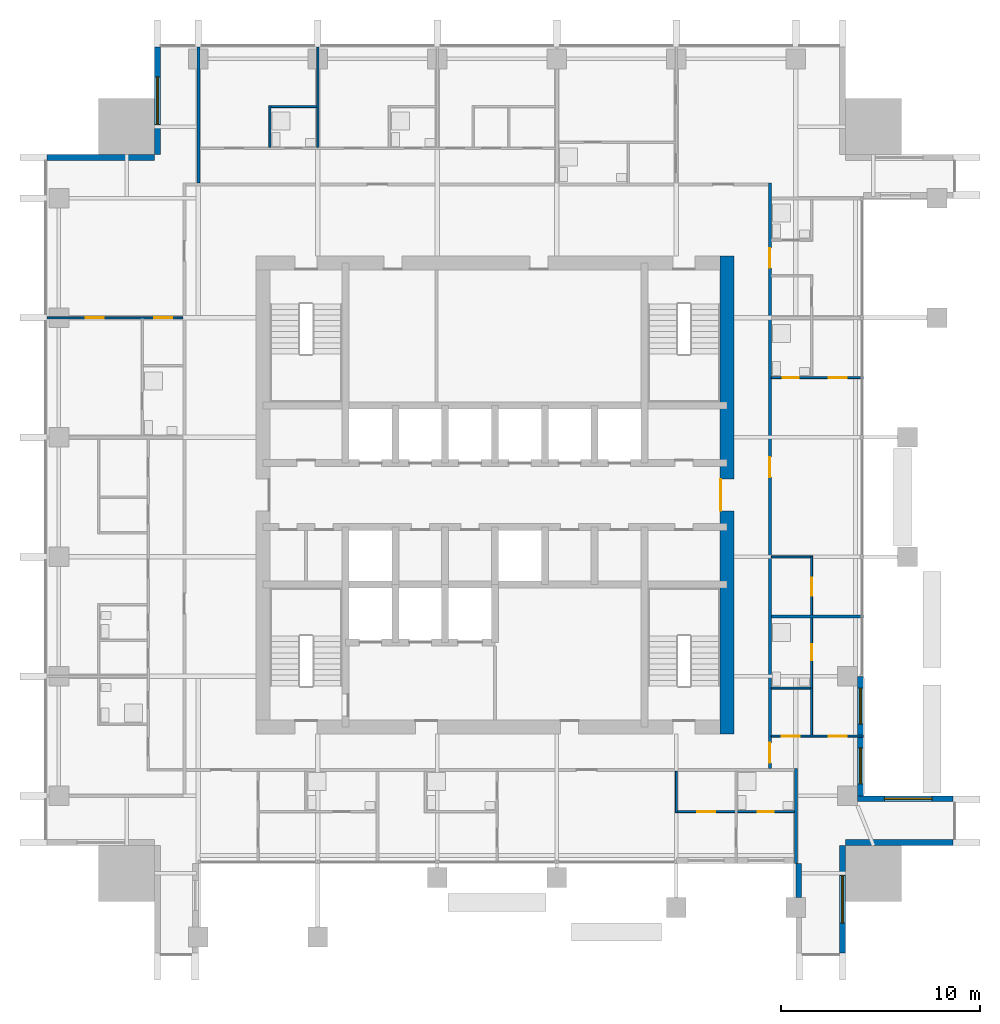
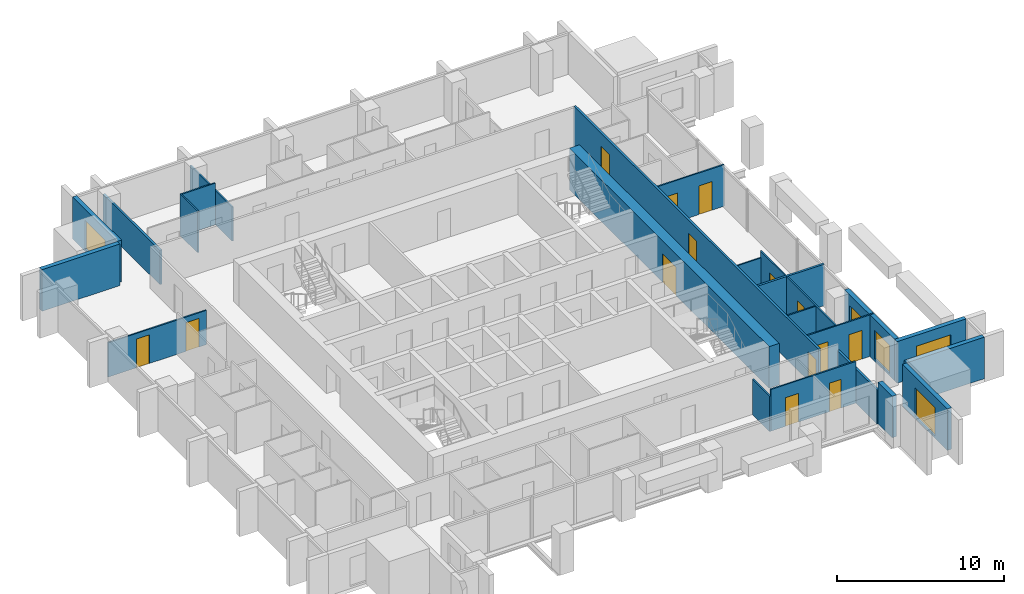
# One storey, part 10 of 14: 23 walls, 14 doors, 5 windows, 19 openings.
"""IFC4 building model written with IfcOpenShell, lengths in metres."""

from ifc_helpers import new_model, si_unit, direction, frame, frame_2d, origin, place, context, subcontext, project, spatial, rectangle, extrude, material, layer, layer_set, type_object, element, fill, save


model = new_model("IFC4")

# Units and contexts
model_context = context("Model", 3, precision=1e-05, world=origin(), true_north=direction((0.0, 1.0)))
body_context = subcontext(model_context, "Body", "Model", "MODEL_VIEW")
ifc_project = project(units=[si_unit("LENGTHUNIT", "METRE"), si_unit("AREAUNIT", "SQUARE_METRE"), si_unit("VOLUMEUNIT", "CUBIC_METRE"), si_unit("PLANEANGLEUNIT", "RADIAN"), si_unit("MASSUNIT", "GRAM", prefix="KILO")], contexts=[model_context])

# Site, building, storey
site_placement = place(None, origin())
site = spatial("IfcSite", under=ifc_project, at=site_placement, CompositionType="ELEMENT")
building_placement = place(site_placement, origin())
building = spatial("IfcBuilding", under=site, at=building_placement, Name="Amberfall Residences", CompositionType="ELEMENT")
storey_placement = place(building_placement, frame((0.0, 0.0, 168.10009765625)))
storey = spatial("IfcBuildingStorey", under=building, at=storey_placement, Name="L45", CompositionType="ELEMENT", Elevation=168.10009765625)

# Wall
ifc_material_1 = material(Name="Pale stone cladding on insulated backing", Category="masonry")
ifc_layer_1 = layer(ifc_material_1, 0.300048828125)
ifc_layer_set_1 = layer_set([ifc_layer_1], Name="Bronze clad wall 300")
wall_type_1 = type_object("IfcWallType", Name="Bronze clad wall 300", PredefinedType="SOLIDWALL", material=ifc_layer_set_1)
wall_1_placement = place(storey_placement, frame((89.75, 27.0, 0.0), z_axis=(0.0, 0.0, 1.0), x_axis=(0.0, -1.0, 0.0)))
element("IfcWall", 1, at=wall_1_placement, inside=storey, type_object=wall_type_1, Name="External wall L45 S", PredefinedType="SOLIDWALL", context=body_context, shape_type="SweptSolid", body=[
    extrude(rectangle(XDim=1.699951171875, YDim=0.300048828125, at=frame_2d((0.85009765625, 0.0))), origin(), (0.0, 0.0, 1.0), 3.0498046875),
])

# Wall, opening, window
wall_2_placement = place(storey_placement, frame((91.949951171875, 22.5, 0.0), z_axis=(0.0, 0.0, 1.0), x_axis=(0.0, 1.0, 0.0)))
wall_2 = element("IfcWall", 2, at=wall_2_placement, inside=storey, type_object=wall_type_1, Name="External wall L45 SE", PredefinedType="SOLIDWALL", context=body_context, shape_type="SweptSolid", body=[
    extrude(rectangle(XDim=5.39990234375, YDim=0.300048828125, at=frame_2d((2.699951171875, 0.0))), origin(), (0.0, 0.0, 1.0), 3.0498046875),
])
opening_1_placement = place(wall_2_placement, frame((1.5, 0.0, 0.14990234375)))
opening_1 = element("IfcOpeningElement", 3, at=opening_1_placement, cuts=wall_2, Name="Opening WN5", PredefinedType="OPENING", context=body_context, shape_type="SweptSolid", body=[
    extrude(rectangle(XDim=2.39990234375, YDim=2.10009765625, at=frame_2d((1.199951171875, 1.050048828125))), frame((0.0, 0.159912109375, 0.0), z_axis=(0.0, -1.0, 0.0), x_axis=(1.0, 0.0, 0.0)), (0.0, 0.0, 1.0), 0.320068359375),
])
ifc_material_2 = material(Name="Bronze aluminium framed glazing", Category="aluminium")
window_type_1 = type_object("IfcWindowType", Name="Glazed opening 2400 x 2100 bronze", PartitioningType="DOUBLE_PANEL_VERTICAL", PredefinedType="WINDOW", material=ifc_material_2)
window_1_placement = place(opening_1_placement, origin())
window_1 = element("IfcWindow", 4, at=window_1_placement, inside=storey, type_object=window_type_1, Name="Window L45 SE", OverallHeight=2.10009765625, OverallWidth=2.39990234375, PartitioningType="DOUBLE_PANEL_VERTICAL", PredefinedType="WINDOW", context=body_context, shape_type="SweptSolid", body=[
    extrude(rectangle(XDim=2.39990234375, YDim=2.10009765625, at=frame_2d((1.199951171875, 1.050048828125))), frame((0.0, 0.030029296875, 0.0), z_axis=(0.0, -1.0, 0.0), x_axis=(1.0, 0.0, 0.0)), (0.0, 0.0, 1.0), 0.06005859375),
])
fill(opening_1, window_1)

# Wall
wall_3_placement = place(storey_placement, frame((92.10009765625, 28.050048828125, 0.0), z_axis=(0.0, 0.0, 1.0), x_axis=(1.0, 0.0, 0.0)))
element("IfcWall", 5, at=wall_3_placement, inside=storey, type_object=wall_type_1, Name="External wall L45 SE", PredefinedType="SOLIDWALL", context=body_context, shape_type="SweptSolid", body=[
    extrude(rectangle(XDim=5.39990234375, YDim=0.300048828125, at=frame_2d((2.699951171875, 0.0))), origin(), (0.0, 0.0, 1.0), 3.0498046875),
])

# Wall, opening, window
wall_4_placement = place(storey_placement, frame((97.5, 30.25, 0.0), z_axis=(0.0, 0.0, 1.0), x_axis=(-1.0, 0.0, 0.0)))
wall_4 = element("IfcWall", 6, at=wall_4_placement, inside=storey, type_object=wall_type_1, Name="External wall L45 E", PredefinedType="SOLIDWALL", context=body_context, shape_type="SweptSolid", body=[
    extrude(rectangle(XDim=4.800048828125, YDim=0.300048828125, at=frame_2d((2.39990234375, 0.0))), origin(), (0.0, 0.0, 1.0), 3.0498046875),
])
opening_2_placement = place(wall_4_placement, frame((1.050048828125, 0.0, 0.14990234375)))
opening_2 = element("IfcOpeningElement", 7, at=opening_2_placement, cuts=wall_4, Name="Opening WN5", PredefinedType="OPENING", context=body_context, shape_type="SweptSolid", body=[
    extrude(rectangle(XDim=2.39990234375, YDim=2.10009765625, at=frame_2d((1.199951171875, 1.050048828125))), frame((0.0, 0.159912109375, 0.0), z_axis=(0.0, -1.0, 0.0), x_axis=(1.0, 0.0, 0.0)), (0.0, 0.0, 1.0), 0.320068359375),
])
window_2_placement = place(opening_2_placement, origin())
window_2 = element("IfcWindow", 8, at=window_2_placement, inside=storey, type_object=window_type_1, Name="Window L45 E", OverallHeight=2.10009765625, OverallWidth=2.39990234375, PartitioningType="DOUBLE_PANEL_VERTICAL", PredefinedType="WINDOW", context=body_context, shape_type="SweptSolid", body=[
    extrude(rectangle(XDim=2.39990234375, YDim=2.10009765625, at=frame_2d((1.199951171875, 1.050048828125))), frame((0.0, 0.030029296875, 0.0), z_axis=(0.0, -1.0, 0.0), x_axis=(1.0, 0.0, 0.0)), (0.0, 0.0, 1.0), 0.06005859375),
])
fill(opening_2, window_2)

wall_5_placement = place(storey_placement, frame((57.550048828125, 68.0, 0.0), z_axis=(0.0, 0.0, 1.0), x_axis=(0.0, -1.0, 0.0)))
wall_5 = element("IfcWall", 9, at=wall_5_placement, inside=storey, type_object=wall_type_1, Name="External wall L45 NW", PredefinedType="SOLIDWALL", context=body_context, shape_type="SweptSolid", body=[
    extrude(rectangle(XDim=5.39990234375, YDim=0.300048828125, at=frame_2d((2.699951171875, 0.0))), origin(), (0.0, 0.0, 1.0), 3.0498046875),
])
opening_3_placement = place(wall_5_placement, frame((1.5, 0.0, 0.14990234375)))
opening_3 = element("IfcOpeningElement", 10, at=opening_3_placement, cuts=wall_5, Name="Opening WN5", PredefinedType="OPENING", context=body_context, shape_type="SweptSolid", body=[
    extrude(rectangle(XDim=2.39990234375, YDim=2.10009765625, at=frame_2d((1.199951171875, 1.050048828125))), frame((0.0, 0.159912109375, 0.0), z_axis=(0.0, -1.0, 0.0), x_axis=(1.0, 0.0, 0.0)), (0.0, 0.0, 1.0), 0.320068359375),
])
window_3_placement = place(opening_3_placement, origin())
window_3 = element("IfcWindow", 11, at=window_3_placement, inside=storey, type_object=window_type_1, Name="Window L45 NW", OverallHeight=2.10009765625, OverallWidth=2.39990234375, PartitioningType="DOUBLE_PANEL_VERTICAL", PredefinedType="WINDOW", context=body_context, shape_type="SweptSolid", body=[
    extrude(rectangle(XDim=2.39990234375, YDim=2.10009765625, at=frame_2d((1.199951171875, 1.050048828125))), frame((0.0, 0.030029296875, 0.0), z_axis=(0.0, -1.0, 0.0), x_axis=(1.0, 0.0, 0.0)), (0.0, 0.0, 1.0), 0.06005859375),
])
fill(opening_3, window_3)

# Wall
wall_6_placement = place(storey_placement, frame((57.39990234375, 62.449951171875, 0.0), z_axis=(0.0, 0.0, 1.0), x_axis=(-1.0, 0.0, 0.0)))
element("IfcWall", 12, at=wall_6_placement, inside=storey, type_object=wall_type_1, Name="External wall L45 NW", PredefinedType="SOLIDWALL", context=body_context, shape_type="SweptSolid", body=[
    extrude(rectangle(XDim=5.39990234375, YDim=0.300048828125, at=frame_2d((2.699951171875, 0.0))), origin(), (0.0, 0.0, 1.0), 3.0498046875),
])

# Wall, openings, windows
wall_7_placement = place(storey_placement, frame((92.85009765625, 30.39990234375, 0.0), z_axis=(0.0, 0.0, 1.0), x_axis=(0.0, 1.0, 0.0)))
wall_7 = element("IfcWall", 13, at=wall_7_placement, inside=storey, type_object=wall_type_1, Name="Stone wall L45 E", PredefinedType="SOLIDWALL", context=body_context, shape_type="SweptSolid", body=[
    extrude(rectangle(XDim=6.0, YDim=0.300048828125, at=frame_2d((3.0, 0.0))), origin(), (0.0, 0.0, 1.0), 3.0498046875),
])
opening_4_placement = place(wall_7_placement, frame((0.60009765625, 0.0, 0.14990234375)))
opening_4 = element("IfcOpeningElement", 14, at=opening_4_placement, cuts=wall_7, Name="Opening WN6", PredefinedType="OPENING", context=body_context, shape_type="SweptSolid", body=[
    extrude(rectangle(XDim=1.800048828125, YDim=2.10009765625, at=frame_2d((0.89990234375, 1.050048828125))), frame((0.0, 0.159912109375, 0.0), z_axis=(0.0, -1.0, 0.0), x_axis=(1.0, 0.0, 0.0)), (0.0, 0.0, 1.0), 0.320068359375),
])
opening_5_placement = place(wall_7_placement, frame((3.60009765625, 0.0, 0.14990234375)))
opening_5 = element("IfcOpeningElement", 15, at=opening_5_placement, cuts=wall_7, Name="Opening WN6", PredefinedType="OPENING", context=body_context, shape_type="SweptSolid", body=[
    extrude(rectangle(XDim=1.800048828125, YDim=2.10009765625, at=frame_2d((0.89990234375, 1.050048828125))), frame((0.0, 0.159912109375, 0.0), z_axis=(0.0, -1.0, 0.0), x_axis=(1.0, 0.0, 0.0)), (0.0, 0.0, 1.0), 0.320068359375),
])
window_type_2 = type_object("IfcWindowType", Name="Glazed opening 1800 x 2100 bronze", PartitioningType="DOUBLE_PANEL_VERTICAL", PredefinedType="WINDOW", material=ifc_material_2)
window_4_placement = place(opening_4_placement, origin())
window_4 = element("IfcWindow", 16, at=window_4_placement, inside=storey, type_object=window_type_2, Name="Window L45 E", OverallHeight=2.10009765625, OverallWidth=1.800048828125, PartitioningType="DOUBLE_PANEL_VERTICAL", PredefinedType="WINDOW", context=body_context, shape_type="SweptSolid", body=[
    extrude(rectangle(XDim=1.800048828125, YDim=2.10009765625, at=frame_2d((0.89990234375, 1.050048828125))), frame((0.0, 0.030029296875, 0.0), z_axis=(0.0, -1.0, 0.0), x_axis=(1.0, 0.0, 0.0)), (0.0, 0.0, 1.0), 0.06005859375),
])
fill(opening_4, window_4)
window_5_placement = place(opening_5_placement, origin())
window_5 = element("IfcWindow", 17, at=window_5_placement, inside=storey, type_object=window_type_2, Name="Window L45 E", OverallHeight=2.10009765625, OverallWidth=1.800048828125, PartitioningType="DOUBLE_PANEL_VERTICAL", PredefinedType="WINDOW", context=body_context, shape_type="SweptSolid", body=[
    extrude(rectangle(XDim=1.800048828125, YDim=2.10009765625, at=frame_2d((0.89990234375, 1.050048828125))), frame((0.0, 0.030029296875, 0.0), z_axis=(0.0, -1.0, 0.0), x_axis=(1.0, 0.0, 0.0)), (0.0, 0.0, 1.0), 0.06005859375),
])
fill(opening_5, window_5)

# Wall, opening, door
ifc_material_3 = material(Name="Concrete C60", Category="concrete")
ifc_layer_2 = layer(ifc_material_3, 0.699951171875)
ifc_layer_set_2 = layer_set([ifc_layer_2], Name="Core wall 700 C60")
wall_type_2 = type_object("IfcWallType", Name="Core wall 700 C60", PredefinedType="SHEAR", material=ifc_layer_set_2)
wall_8_placement = place(storey_placement, frame((86.14990234375, 33.5, 0.0), z_axis=(0.0, 0.0, 1.0), x_axis=(0.0, 1.0, 0.0)))
wall_8 = element("IfcWall", 18, at=wall_8_placement, inside=storey, type_object=wall_type_2, Name="Core wall RW5 L45 OE", PredefinedType="SHEAR", context=body_context, shape_type="SweptSolid", body=[
    extrude(rectangle(XDim=24.0, YDim=0.699951171875, at=frame_2d((12.0, 0.0))), origin(), (0.0, 0.0, 1.0), 3.0498046875),
])
opening_6_placement = place(wall_8_placement, frame((11.199951171875, 0.0, 0.0)))
opening_6 = element("IfcOpeningElement", 19, at=opening_6_placement, cuts=wall_8, Name="Opening LB1", PredefinedType="OPENING", context=body_context, shape_type="SweptSolid", body=[
    extrude(rectangle(XDim=1.60009765625, YDim=2.10009765625, at=frame_2d((0.800048828125, 1.050048828125))), frame((0.0, 0.35986328125, 0.0), z_axis=(0.0, -1.0, 0.0), x_axis=(1.0, 0.0, 0.0)), (0.0, 0.0, 1.0), 0.719970703125),
])
ifc_material_4 = material(Name="Steel fire door set", Category="steel")
door_type_1 = type_object("IfcDoorType", Name="Lift lobby double door 1600 x 2100", OperationType="DOUBLE_DOOR_SINGLE_SWING", PredefinedType="DOOR", material=ifc_material_4)
door_1_placement = place(opening_6_placement, origin())
door_1 = element("IfcDoor", 20, at=door_1_placement, inside=storey, type_object=door_type_1, Name="LB1 L45", OperationType="DOUBLE_DOOR_SINGLE_SWING", OverallHeight=2.10009765625, OverallWidth=1.60009765625, PredefinedType="DOOR", context=body_context, shape_type="SweptSolid", body=[
    extrude(rectangle(XDim=1.60009765625, YDim=2.10009765625, at=frame_2d((0.800048828125, 1.050048828125))), frame((0.0, 0.33740234375, 0.0), z_axis=(0.0, -1.0, 0.0), x_axis=(1.0, 0.0, 0.0)), (0.0, 0.0, 1.0), 0.050048828125),
])
fill(opening_6, door_1)

# Walls
ifc_material_5 = material(Name="Gypsum board on metal stud")
ifc_layer_3 = layer(ifc_material_5, 0.10009765625)
ifc_layer_set_3 = layer_set([ifc_layer_3], Name="Flat partition 100")
wall_type_3 = type_object("IfcWallType", Name="Flat partition 100", PredefinedType="PARTITIONING", material=ifc_layer_set_3)
wall_9_placement = place(storey_placement, frame((63.199951171875, 62.949951171875, 0.0), z_axis=(0.0, 0.0, 1.0), x_axis=(0.0, 1.0, 0.0)))
element("IfcWall", 21, at=wall_9_placement, inside=storey, type_object=wall_type_3, Name="Partition 006", PredefinedType="PARTITIONING", context=body_context, shape_type="SweptSolid", body=[
    extrude(rectangle(XDim=2.10009765625, YDim=0.10009765625, at=frame_2d((1.050048828125, 0.0))), origin(), (0.0, 0.0, 1.0), 3.0498046875),
])
wall_10_placement = place(storey_placement, frame((65.60009765625, 62.949951171875, 0.0), z_axis=(0.0, 0.0, 1.0), x_axis=(0.0, 1.0, 0.0)))
element("IfcWall", 22, at=wall_10_placement, inside=storey, type_object=wall_type_3, Name="Partition 008", PredefinedType="PARTITIONING", context=body_context, shape_type="SweptSolid", body=[
    extrude(rectangle(XDim=5.050048828125, YDim=0.10009765625, at=frame_2d((2.52490234375, 0.0))), origin(), (0.0, 0.0, 1.0), 2.515869140625),
])
wall_11_placement = place(storey_placement, frame((83.60009765625, 29.550048828125, 0.0), z_axis=(0.0, 0.0, 1.0), x_axis=(0.0, 1.0, 0.0)))
element("IfcWall", 23, at=wall_11_placement, inside=storey, type_object=wall_type_3, Name="Partition 016", PredefinedType="PARTITIONING", context=body_context, shape_type="SweptSolid", body=[
    extrude(rectangle(XDim=2.074951171875, YDim=0.10009765625, at=frame_2d((1.03759765625, 0.0))), origin(), (0.0, 0.0, 1.0), 2.58984375),
])

# Wall, openings, doors
wall_12_placement = place(storey_placement, frame((90.39990234375, 33.449951171875, 0.0), z_axis=(0.0, 0.0, 1.0), x_axis=(0.0, 1.0, 0.0)))
wall_12 = element("IfcWall", 24, at=wall_12_placement, inside=storey, type_object=wall_type_3, Name="Partition 019", PredefinedType="PARTITIONING", context=body_context, shape_type="SweptSolid", body=[
    extrude(rectangle(XDim=9.0, YDim=0.10009765625, at=frame_2d((4.5, 0.0))), origin(), (0.0, 0.0, 1.0), 3.0498046875),
])
opening_7_placement = place(wall_12_placement, frame((3.75, 0.0, 0.0)))
opening_7 = element("IfcOpeningElement", 25, at=opening_7_placement, cuts=wall_12, Name="Opening D42", PredefinedType="OPENING", context=body_context, shape_type="SweptSolid", body=[
    extrude(rectangle(XDim=0.800048828125, YDim=2.10009765625, at=frame_2d((0.39990234375, 1.050048828125))), frame((0.0, 0.06005859375, 0.0), z_axis=(0.0, -1.0, 0.0), x_axis=(1.0, 0.0, 0.0)), (0.0, 0.0, 1.0), 0.1201171875),
])
opening_8_placement = place(wall_12_placement, frame((7.0, 0.0, 0.0)))
opening_8 = element("IfcOpeningElement", 26, at=opening_8_placement, cuts=wall_12, Name="Opening D41", PredefinedType="OPENING", context=body_context, shape_type="SweptSolid", body=[
    extrude(rectangle(XDim=0.89990234375, YDim=2.10009765625, at=frame_2d((0.449951171875, 1.050048828125))), frame((0.0, 0.06005859375, 0.0), z_axis=(0.0, -1.0, 0.0), x_axis=(1.0, 0.0, 0.0)), (0.0, 0.0, 1.0), 0.1201171875),
])
ifc_material_6 = material(Name="Timber", Category="wood")
door_type_2 = type_object("IfcDoorType", Name="Bathroom door 800 x 2100", OperationType="SINGLE_SWING_LEFT", PredefinedType="DOOR", material=ifc_material_6)
door_2_placement = place(opening_7_placement, origin())
door_2 = element("IfcDoor", 27, at=door_2_placement, inside=storey, type_object=door_type_2, Name="Door 4503 bath1", OperationType="SINGLE_SWING_LEFT", OverallHeight=2.10009765625, OverallWidth=0.800048828125, PredefinedType="DOOR", context=body_context, shape_type="SweptSolid", body=[
    extrude(rectangle(XDim=0.800048828125, YDim=2.10009765625, at=frame_2d((0.39990234375, 1.050048828125))), frame((0.0, 0.02490234375, 0.0), z_axis=(0.0, -1.0, 0.0), x_axis=(1.0, 0.0, 0.0)), (0.0, 0.0, 1.0), 0.050048828125),
])
fill(opening_7, door_2)
door_type_3 = type_object("IfcDoorType", Name="Internal door 900 x 2100", OperationType="SINGLE_SWING_LEFT", PredefinedType="DOOR", material=ifc_material_6)
door_3_placement = place(opening_8_placement, origin())
door_3 = element("IfcDoor", 28, at=door_3_placement, inside=storey, type_object=door_type_3, Name="Door 4504 kitchen", OperationType="SINGLE_SWING_LEFT", OverallHeight=2.10009765625, OverallWidth=0.89990234375, PredefinedType="DOOR", context=body_context, shape_type="SweptSolid", body=[
    extrude(rectangle(XDim=0.89990234375, YDim=2.10009765625, at=frame_2d((0.449951171875, 1.050048828125))), frame((0.0, 0.02490234375, 0.0), z_axis=(0.0, -1.0, 0.0), x_axis=(1.0, 0.0, 0.0)), (0.0, 0.0, 1.0), 0.050048828125),
])
fill(opening_8, door_3)

# Wall
wall_13_placement = place(storey_placement, frame((63.25, 65.0, 0.0), z_axis=(0.0, 0.0, 1.0), x_axis=(1.0, 0.0, 0.0)))
element("IfcWall", 29, at=wall_13_placement, inside=storey, type_object=wall_type_3, Name="Partition 022", PredefinedType="PARTITIONING", context=body_context, shape_type="SweptSolid", body=[
    extrude(rectangle(XDim=2.300048828125, YDim=0.10009765625, at=frame_2d((1.14990234375, 0.0))), origin(), (0.0, 0.0, 1.0), 3.0498046875),
])

# Wall, openings, doors
wall_14_placement = place(storey_placement, frame((58.824951171875, 54.39990234375, 0.0), z_axis=(0.0, 0.0, 1.0), x_axis=(-1.0, 0.0, 0.0)))
wall_14 = element("IfcWall", 30, at=wall_14_placement, inside=storey, type_object=wall_type_3, Name="Partition 029", PredefinedType="PARTITIONING", context=body_context, shape_type="SweptSolid", body=[
    extrude(rectangle(XDim=6.824951171875, YDim=0.10009765625, at=frame_2d((3.41259765625, 0.0))), origin(), (0.0, 0.0, 1.0), 2.515869140625),
])
opening_9_placement = place(wall_14_placement, frame((0.52490234375, 0.0, 0.0)))
opening_9 = element("IfcOpeningElement", 31, at=opening_9_placement, cuts=wall_14, Name="Opening D41", PredefinedType="OPENING", context=body_context, shape_type="SweptSolid", body=[
    extrude(rectangle(XDim=0.89990234375, YDim=2.10009765625, at=frame_2d((0.449951171875, 1.050048828125))), frame((0.0, 0.06005859375, 0.0), z_axis=(0.0, -1.0, 0.0), x_axis=(1.0, 0.0, 0.0)), (0.0, 0.0, 1.0), 0.1201171875),
])
opening_10_placement = place(wall_14_placement, frame((3.97509765625, 0.0, 0.0)))
opening_10 = element("IfcOpeningElement", 32, at=opening_10_placement, cuts=wall_14, Name="Opening D41", PredefinedType="OPENING", context=body_context, shape_type="SweptSolid", body=[
    extrude(rectangle(XDim=0.89990234375, YDim=2.10009765625, at=frame_2d((0.449951171875, 1.050048828125))), frame((0.0, 0.06005859375, 0.0), z_axis=(0.0, -1.0, 0.0), x_axis=(1.0, 0.0, 0.0)), (0.0, 0.0, 1.0), 0.1201171875),
])
door_4_placement = place(opening_9_placement, origin())
door_4 = element("IfcDoor", 33, at=door_4_placement, inside=storey, type_object=door_type_3, Name="Door 4509 kitchen", OperationType="SINGLE_SWING_LEFT", OverallHeight=2.10009765625, OverallWidth=0.89990234375, PredefinedType="DOOR", context=body_context, shape_type="SweptSolid", body=[
    extrude(rectangle(XDim=0.89990234375, YDim=2.10009765625, at=frame_2d((0.449951171875, 1.050048828125))), frame((0.0, 0.02490234375, 0.0), z_axis=(0.0, -1.0, 0.0), x_axis=(1.0, 0.0, 0.0)), (0.0, 0.0, 1.0), 0.050048828125),
])
fill(opening_9, door_4)
door_5_placement = place(opening_10_placement, origin())
door_5 = element("IfcDoor", 34, at=door_5_placement, inside=storey, type_object=door_type_3, Name="Door 4509 bedroom1", OperationType="SINGLE_SWING_LEFT", OverallHeight=2.10009765625, OverallWidth=0.89990234375, PredefinedType="DOOR", context=body_context, shape_type="SweptSolid", body=[
    extrude(rectangle(XDim=0.89990234375, YDim=2.10009765625, at=frame_2d((0.449951171875, 1.050048828125))), frame((0.0, 0.02490234375, 0.0), z_axis=(0.0, -1.0, 0.0), x_axis=(1.0, 0.0, 0.0)), (0.0, 0.0, 1.0), 0.050048828125),
])
fill(opening_10, door_5)

wall_15_placement = place(storey_placement, frame((88.375, 51.39990234375, 0.0), z_axis=(0.0, 0.0, 1.0), x_axis=(1.0, 0.0, 0.0)))
wall_15 = element("IfcWall", 35, at=wall_15_placement, inside=storey, type_object=wall_type_3, Name="Partition 031", PredefinedType="PARTITIONING", context=body_context, shape_type="SweptSolid", body=[
    extrude(rectangle(XDim=4.625, YDim=0.10009765625, at=frame_2d((2.3125, 0.0))), origin(), (0.0, 0.0, 1.0), 3.0498046875),
])
opening_11_placement = place(wall_15_placement, frame((2.875, 0.0, 0.0)))
opening_11 = element("IfcOpeningElement", 36, at=opening_11_placement, cuts=wall_15, Name="Opening D41", PredefinedType="OPENING", context=body_context, shape_type="SweptSolid", body=[
    extrude(rectangle(XDim=0.89990234375, YDim=2.10009765625, at=frame_2d((0.449951171875, 1.050048828125))), frame((0.0, 0.06005859375, 0.0), z_axis=(0.0, -1.0, 0.0), x_axis=(1.0, 0.0, 0.0)), (0.0, 0.0, 1.0), 0.1201171875),
])
opening_12_placement = place(wall_15_placement, frame((0.574951171875, 0.0, 0.0)))
opening_12 = element("IfcOpeningElement", 37, at=opening_12_placement, cuts=wall_15, Name="Opening D42", PredefinedType="OPENING", context=body_context, shape_type="SweptSolid", body=[
    extrude(rectangle(XDim=0.800048828125, YDim=2.10009765625, at=frame_2d((0.39990234375, 1.050048828125))), frame((0.0, 0.06005859375, 0.0), z_axis=(0.0, -1.0, 0.0), x_axis=(1.0, 0.0, 0.0)), (0.0, 0.0, 1.0), 0.1201171875),
])
door_6_placement = place(opening_12_placement, origin())
door_6 = element("IfcDoor", 38, at=door_6_placement, inside=storey, type_object=door_type_2, Name="Door 4504 bath1", OperationType="SINGLE_SWING_LEFT", OverallHeight=2.10009765625, OverallWidth=0.800048828125, PredefinedType="DOOR", context=body_context, shape_type="SweptSolid", body=[
    extrude(rectangle(XDim=0.800048828125, YDim=2.10009765625, at=frame_2d((0.39990234375, 1.050048828125))), frame((0.0, 0.02490234375, 0.0), z_axis=(0.0, -1.0, 0.0), x_axis=(1.0, 0.0, 0.0)), (0.0, 0.0, 1.0), 0.050048828125),
])
fill(opening_12, door_6)
door_7_placement = place(opening_11_placement, origin())
door_7 = element("IfcDoor", 39, at=door_7_placement, inside=storey, type_object=door_type_3, Name="Door 4504 bedroom1", OperationType="SINGLE_SWING_LEFT", OverallHeight=2.10009765625, OverallWidth=0.89990234375, PredefinedType="DOOR", context=body_context, shape_type="SweptSolid", body=[
    extrude(rectangle(XDim=0.89990234375, YDim=2.10009765625, at=frame_2d((0.449951171875, 1.050048828125))), frame((0.0, 0.02490234375, 0.0), z_axis=(0.0, -1.0, 0.0), x_axis=(1.0, 0.0, 0.0)), (0.0, 0.0, 1.0), 0.050048828125),
])
fill(opening_11, door_7)

# Walls
wall_16_placement = place(storey_placement, frame((88.375, 42.39990234375, 0.0), z_axis=(0.0, 0.0, 1.0), x_axis=(1.0, 0.0, 0.0)))
element("IfcWall", 40, at=wall_16_placement, inside=storey, type_object=wall_type_3, Name="Partition 034", PredefinedType="PARTITIONING", context=body_context, shape_type="SweptSolid", body=[
    extrude(rectangle(XDim=1.97509765625, YDim=0.10009765625, at=frame_2d((0.987548828125, 0.0))), origin(), (0.0, 0.0, 1.0), 2.58984375),
])
wall_17_placement = place(storey_placement, frame((88.375, 35.800048828125, 0.0), z_axis=(0.0, 0.0, 1.0), x_axis=(1.0, 0.0, 0.0)))
element("IfcWall", 41, at=wall_17_placement, inside=storey, type_object=wall_type_3, Name="Partition 038", PredefinedType="PARTITIONING", context=body_context, shape_type="SweptSolid", body=[
    extrude(rectangle(XDim=1.97509765625, YDim=0.10009765625, at=frame_2d((0.987548828125, 0.0))), origin(), (0.0, 0.0, 1.0), 3.0498046875),
])

# Wall, openings, doors
wall_18_placement = place(storey_placement, frame((88.375, 33.39990234375, 0.0), z_axis=(0.0, 0.0, 1.0), x_axis=(1.0, 0.0, 0.0)))
wall_18 = element("IfcWall", 42, at=wall_18_placement, inside=storey, type_object=wall_type_3, Name="Partition 040", PredefinedType="PARTITIONING", context=body_context, shape_type="SweptSolid", body=[
    extrude(rectangle(XDim=4.625, YDim=0.10009765625, at=frame_2d((2.3125, 0.0))), origin(), (0.0, 0.0, 1.0), 3.0498046875),
])
opening_13_placement = place(wall_18_placement, frame((0.52490234375, 0.0, 0.0)))
opening_13 = element("IfcOpeningElement", 43, at=opening_13_placement, cuts=wall_18, Name="Opening D41", PredefinedType="OPENING", context=body_context, shape_type="SweptSolid", body=[
    extrude(rectangle(XDim=0.89990234375, YDim=2.10009765625, at=frame_2d((0.449951171875, 1.050048828125))), frame((0.0, 0.06005859375, 0.0), z_axis=(0.0, -1.0, 0.0), x_axis=(1.0, 0.0, 0.0)), (0.0, 0.0, 1.0), 0.1201171875),
])
opening_14_placement = place(wall_18_placement, frame((2.875, 0.0, 0.0)))
opening_14 = element("IfcOpeningElement", 44, at=opening_14_placement, cuts=wall_18, Name="Opening D41", PredefinedType="OPENING", context=body_context, shape_type="SweptSolid", body=[
    extrude(rectangle(XDim=0.89990234375, YDim=2.10009765625, at=frame_2d((0.449951171875, 1.050048828125))), frame((0.0, 0.06005859375, 0.0), z_axis=(0.0, -1.0, 0.0), x_axis=(1.0, 0.0, 0.0)), (0.0, 0.0, 1.0), 0.1201171875),
])
door_8_placement = place(opening_13_placement, origin())
door_8 = element("IfcDoor", 45, at=door_8_placement, inside=storey, type_object=door_type_3, Name="Door 4503 kitchen", OperationType="SINGLE_SWING_LEFT", OverallHeight=2.10009765625, OverallWidth=0.89990234375, PredefinedType="DOOR", context=body_context, shape_type="SweptSolid", body=[
    extrude(rectangle(XDim=0.89990234375, YDim=2.10009765625, at=frame_2d((0.449951171875, 1.050048828125))), frame((0.0, 0.02490234375, 0.0), z_axis=(0.0, -1.0, 0.0), x_axis=(1.0, 0.0, 0.0)), (0.0, 0.0, 1.0), 0.050048828125),
])
fill(opening_13, door_8)
door_9_placement = place(opening_14_placement, origin())
door_9 = element("IfcDoor", 46, at=door_9_placement, inside=storey, type_object=door_type_3, Name="Door 4503 bedroom1", OperationType="SINGLE_SWING_LEFT", OverallHeight=2.10009765625, OverallWidth=0.89990234375, PredefinedType="DOOR", context=body_context, shape_type="SweptSolid", body=[
    extrude(rectangle(XDim=0.89990234375, YDim=2.10009765625, at=frame_2d((0.449951171875, 1.050048828125))), frame((0.0, 0.02490234375, 0.0), z_axis=(0.0, -1.0, 0.0), x_axis=(1.0, 0.0, 0.0)), (0.0, 0.0, 1.0), 0.050048828125),
])
fill(opening_14, door_9)

wall_19_placement = place(storey_placement, frame((83.64990234375, 29.60009765625, 0.0), z_axis=(0.0, 0.0, 1.0), x_axis=(1.0, 0.0, 0.0)))
wall_19 = element("IfcWall", 47, at=wall_19_placement, inside=storey, type_object=wall_type_3, Name="Partition 044", PredefinedType="PARTITIONING", context=body_context, shape_type="SweptSolid", body=[
    extrude(rectangle(XDim=5.875, YDim=0.10009765625, at=frame_2d((2.9375, 0.0))), origin(), (0.0, 0.0, 1.0), 3.0498046875),
])
opening_15_placement = place(wall_19_placement, frame((1.0, 0.0, 0.0)))
opening_15 = element("IfcOpeningElement", 48, at=opening_15_placement, cuts=wall_19, Name="Opening D41", PredefinedType="OPENING", context=body_context, shape_type="SweptSolid", body=[
    extrude(rectangle(XDim=0.89990234375, YDim=2.10009765625, at=frame_2d((0.449951171875, 1.050048828125))), frame((0.0, 0.06005859375, 0.0), z_axis=(0.0, -1.0, 0.0), x_axis=(1.0, 0.0, 0.0)), (0.0, 0.0, 1.0), 0.1201171875),
])
opening_16_placement = place(wall_19_placement, frame((4.050048828125, 0.0, 0.0)))
opening_16 = element("IfcOpeningElement", 49, at=opening_16_placement, cuts=wall_19, Name="Opening D42", PredefinedType="OPENING", context=body_context, shape_type="SweptSolid", body=[
    extrude(rectangle(XDim=0.800048828125, YDim=2.10009765625, at=frame_2d((0.39990234375, 1.050048828125))), frame((0.0, 0.06005859375, 0.0), z_axis=(0.0, -1.0, 0.0), x_axis=(1.0, 0.0, 0.0)), (0.0, 0.0, 1.0), 0.1201171875),
])
door_10_placement = place(opening_16_placement, origin())
door_10 = element("IfcDoor", 50, at=door_10_placement, inside=storey, type_object=door_type_2, Name="Door 4502 bath2", OperationType="SINGLE_SWING_LEFT", OverallHeight=2.10009765625, OverallWidth=0.800048828125, PredefinedType="DOOR", context=body_context, shape_type="SweptSolid", body=[
    extrude(rectangle(XDim=0.800048828125, YDim=2.10009765625, at=frame_2d((0.39990234375, 1.050048828125))), frame((0.0, 0.02490234375, 0.0), z_axis=(0.0, -1.0, 0.0), x_axis=(1.0, 0.0, 0.0)), (0.0, 0.0, 1.0), 0.050048828125),
])
fill(opening_16, door_10)
door_11_placement = place(opening_15_placement, origin())
door_11 = element("IfcDoor", 51, at=door_11_placement, inside=storey, type_object=door_type_3, Name="Door 4502 kitchen", OperationType="SINGLE_SWING_LEFT", OverallHeight=2.10009765625, OverallWidth=0.89990234375, PredefinedType="DOOR", context=body_context, shape_type="SweptSolid", body=[
    extrude(rectangle(XDim=0.89990234375, YDim=2.10009765625, at=frame_2d((0.449951171875, 1.050048828125))), frame((0.0, 0.02490234375, 0.0), z_axis=(0.0, -1.0, 0.0), x_axis=(1.0, 0.0, 0.0)), (0.0, 0.0, 1.0), 0.050048828125),
])
fill(opening_15, door_11)

# Wall
ifc_material_7 = material(Name="Blockwork, plastered", Category="masonry")
ifc_layer_4 = layer(ifc_material_7, 0.14990234375)
ifc_layer_set_4 = layer_set([ifc_layer_4], Name="Flat separating wall 150")
wall_type_4 = type_object("IfcWallType", Name="Flat separating wall 150", PredefinedType="PARTITIONING", material=ifc_layer_set_4)
wall_20_placement = place(storey_placement, frame((59.60009765625, 61.175048828125, 0.0), z_axis=(0.0, 0.0, 1.0), x_axis=(0.0, 1.0, 0.0)))
element("IfcWall", 52, at=wall_20_placement, inside=storey, type_object=wall_type_4, Name="Separating wall 046", PredefinedType="PARTITIONING", context=body_context, shape_type="SweptSolid", body=[
    extrude(rectangle(XDim=6.824951171875, YDim=0.14990234375, at=frame_2d((3.41259765625, 0.0))), origin(), (0.0, 0.0, 1.0), 2.510009765625),
])

# Wall, openings, doors
wall_21_placement = place(storey_placement, frame((88.300048828125, 61.175048828125, 0.0), z_axis=(0.0, 0.0, 1.0), x_axis=(0.0, -1.0, 0.0)))
wall_21 = element("IfcWall", 53, at=wall_21_placement, inside=storey, type_object=wall_type_4, Name="Separating wall 049", PredefinedType="PARTITIONING", context=body_context, shape_type="SweptSolid", body=[
    extrude(rectangle(XDim=29.400146484375, YDim=0.14990234375, at=frame_2d((14.7001953125, 0.0))), origin(), (0.0, 0.0, 1.0), 3.0498046875),
])
opening_17_placement = place(wall_21_placement, frame((28.125, 0.0, 0.0)))
opening_17 = element("IfcOpeningElement", 54, at=opening_17_placement, cuts=wall_21, Name="Opening D40", PredefinedType="OPENING", context=body_context, shape_type="SweptSolid", body=[
    extrude(rectangle(XDim=1.0, YDim=2.10009765625, at=frame_2d((0.5, 1.050048828125))), frame((0.0, 0.0849609375, 0.0), z_axis=(0.0, -1.0, 0.0), x_axis=(1.0, 0.0, 0.0)), (0.0, 0.0, 1.0), 0.169921875),
])
opening_18_placement = place(wall_21_placement, frame((13.77490234375, 0.0, 0.0)))
opening_18 = element("IfcOpeningElement", 55, at=opening_18_placement, cuts=wall_21, Name="Opening D40", PredefinedType="OPENING", context=body_context, shape_type="SweptSolid", body=[
    extrude(rectangle(XDim=1.0, YDim=2.10009765625, at=frame_2d((0.5, 1.050048828125))), frame((0.0, 0.0849609375, 0.0), z_axis=(0.0, -1.0, 0.0), x_axis=(1.0, 0.0, 0.0)), (0.0, 0.0, 1.0), 0.169921875),
])
opening_19_placement = place(wall_21_placement, frame((3.27490234375, 0.0, 0.0)))
opening_19 = element("IfcOpeningElement", 56, at=opening_19_placement, cuts=wall_21, Name="Opening D40", PredefinedType="OPENING", context=body_context, shape_type="SweptSolid", body=[
    extrude(rectangle(XDim=1.0, YDim=2.10009765625, at=frame_2d((0.5, 1.050048828125))), frame((0.0, 0.0849609375, 0.0), z_axis=(0.0, -1.0, 0.0), x_axis=(1.0, 0.0, 0.0)), (0.0, 0.0, 1.0), 0.169921875),
])
ifc_material_8 = material(Name="Timber, fire-rated", Category="wood")
door_type_4 = type_object("IfcDoorType", Name="Flat entrance door FD60 1000 x 2100", OperationType="SINGLE_SWING_LEFT", PredefinedType="DOOR", material=ifc_material_8)
door_12_placement = place(opening_17_placement, origin())
door_12 = element("IfcDoor", 57, at=door_12_placement, inside=storey, type_object=door_type_4, Name="Door 4503 entrance", OperationType="SINGLE_SWING_LEFT", OverallHeight=2.10009765625, OverallWidth=1.0, PredefinedType="DOOR", context=body_context, shape_type="SweptSolid", body=[
    extrude(rectangle(XDim=1.0, YDim=2.10009765625, at=frame_2d((0.5, 1.050048828125))), frame((0.0, 0.02490234375, 0.0), z_axis=(0.0, -1.0, 0.0), x_axis=(1.0, 0.0, 0.0)), (0.0, 0.0, 1.0), 0.050048828125),
])
fill(opening_17, door_12)
door_13_placement = place(opening_18_placement, origin())
door_13 = element("IfcDoor", 58, at=door_13_placement, inside=storey, type_object=door_type_4, Name="Door 4504 entrance", OperationType="SINGLE_SWING_LEFT", OverallHeight=2.10009765625, OverallWidth=1.0, PredefinedType="DOOR", context=body_context, shape_type="SweptSolid", body=[
    extrude(rectangle(XDim=1.0, YDim=2.10009765625, at=frame_2d((0.5, 1.050048828125))), frame((0.0, 0.02490234375, 0.0), z_axis=(0.0, -1.0, 0.0), x_axis=(1.0, 0.0, 0.0)), (0.0, 0.0, 1.0), 0.050048828125),
])
fill(opening_18, door_13)
door_14_placement = place(opening_19_placement, origin())
door_14 = element("IfcDoor", 59, at=door_14_placement, inside=storey, type_object=door_type_4, Name="Door 4505 entrance", OperationType="SINGLE_SWING_LEFT", OverallHeight=2.10009765625, OverallWidth=1.0, PredefinedType="DOOR", context=body_context, shape_type="SweptSolid", body=[
    extrude(rectangle(XDim=1.0, YDim=2.10009765625, at=frame_2d((0.5, 1.050048828125))), frame((0.0, 0.02490234375, 0.0), z_axis=(0.0, -1.0, 0.0), x_axis=(1.0, 0.0, 0.0)), (0.0, 0.0, 1.0), 0.050048828125),
])
fill(opening_19, door_14)

# Walls
wall_22_placement = place(storey_placement, frame((89.60009765625, 27.0, 0.0), z_axis=(0.0, 0.0, 1.0), x_axis=(0.0, 1.0, 0.0)))
element("IfcWall", 60, at=wall_22_placement, inside=storey, type_object=wall_type_4, Name="Separating wall 050", PredefinedType="PARTITIONING", context=body_context, shape_type="SweptSolid", body=[
    extrude(rectangle(XDim=4.77490234375, YDim=0.14990234375, at=frame_2d((2.387451171875, 0.0))), origin(), (0.0, 0.0, 1.0), 2.510009765625),
])
wall_23_placement = place(storey_placement, frame((88.375, 39.39990234375, 0.0), z_axis=(0.0, 0.0, 1.0), x_axis=(1.0, 0.0, 0.0)))
element("IfcWall", 61, at=wall_23_placement, inside=storey, type_object=wall_type_4, Name="Separating wall 055", PredefinedType="PARTITIONING", context=body_context, shape_type="SweptSolid", body=[
    extrude(rectangle(XDim=4.625, YDim=0.14990234375, at=frame_2d((2.3125, 0.0))), origin(), (0.0, 0.0, 1.0), 3.0498046875),
])

save(model, "model.ifc")
